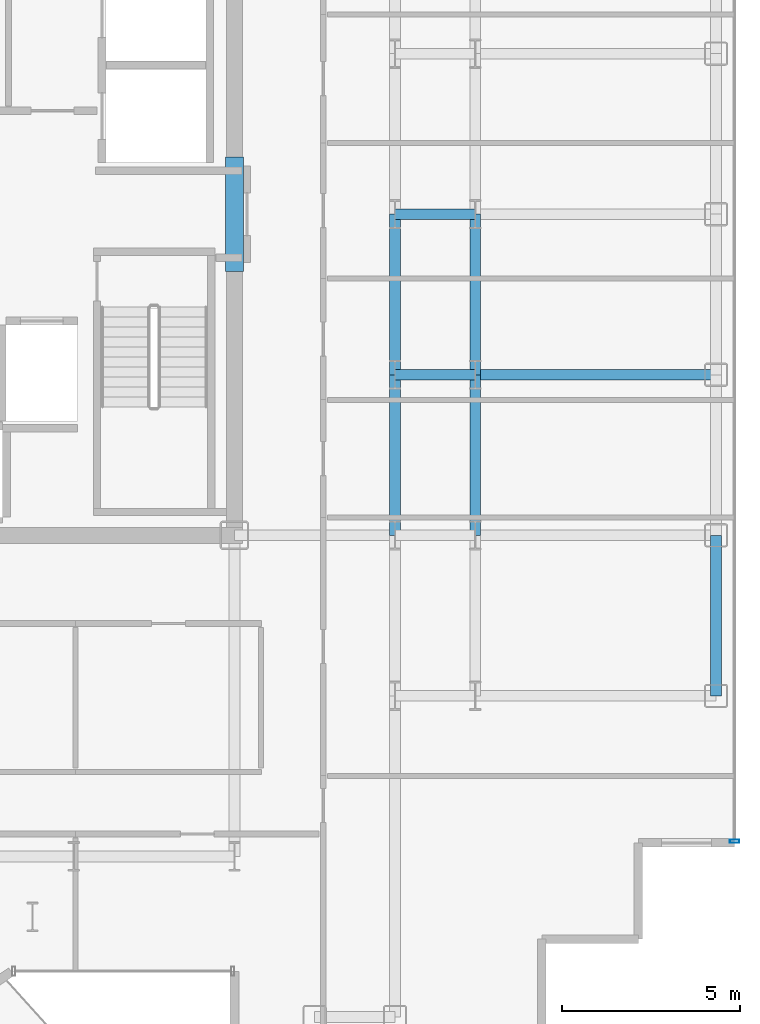
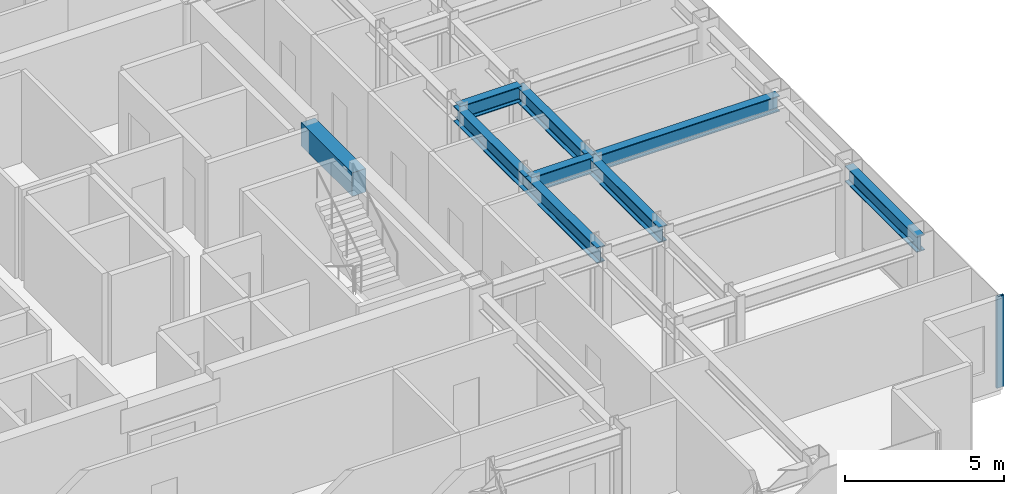
# One storey, part 6 of 21: 9 beams, 1 member, 1 element without a shape of its own.
"""IFC4 building model written with IfcOpenShell, lengths in metres."""

from ifc_helpers import new_model, si_unit, direction, frame, origin, origin_2d, place, context, subcontext, project, spatial, rectangle, hollow_rectangle, i_section, extrude, source, transform, mapped, material, layer, layer_set, material_profile, profile_set, type_object, element, aggregate, save


model = new_model("IFC4")

# Units and contexts
model_context = context("Model", 3, precision=1e-05, world=origin(), true_north=direction((0.0, 1.0)))
body_context = subcontext(model_context, "Body", "Model", "MODEL_VIEW")
ifc_project = project(units=[si_unit("LENGTHUNIT", "METRE"), si_unit("AREAUNIT", "SQUARE_METRE"), si_unit("VOLUMEUNIT", "CUBIC_METRE"), si_unit("PLANEANGLEUNIT", "RADIAN"), si_unit("MASSUNIT", "GRAM", prefix="KILO")], contexts=[model_context])

# Site, building, storey
site_placement = place(None, origin())
site = spatial("IfcSite", under=ifc_project, at=site_placement, CompositionType="ELEMENT")
building_placement = place(site_placement, origin())
building = spatial("IfcBuilding", under=site, at=building_placement, Name="Nefas-Gora Pilgrimage Tower", CompositionType="ELEMENT")
storey_placement = place(building_placement, frame((0.0, 0.0, 256.0)))
storey = spatial("IfcBuildingStorey", under=building, at=storey_placement, Name="L64", CompositionType="ELEMENT", Elevation=256.0)

# Beams
ifc_material_1 = material(Name="Concrete C50/60", Category="concrete")
ifc_material_profile_1 = material_profile(ifc_material_1, rectangle(XDim=0.5, YDim=0.89990234375, at=origin_2d()), Name="RC 500x900")
ifc_profile_set_1 = profile_set([ifc_material_profile_1], Name="Concrete C50/60")
beam_type_1 = type_object("IfcBeamType", Name="BM-LIN-RC900", PredefinedType="LINTEL", material=ifc_profile_set_1)
shared_shape_1 = source(origin(), body_context, "Body", "SweptSolid", [
    extrude(rectangle(XDim=0.5, YDim=0.89990234375, at=origin_2d()), origin(), (0.0, 0.0, 1.0), 3.2001953125),
])
beam_1_placement = place(storey_placement, frame((11.25, -1.60009765625, 3.050048828125), z_axis=(0.0, 1.0, 0.0), x_axis=(-1.0, 0.0, 0.0)))
element("IfcBeam", 1, at=beam_1_placement, inside=storey, type_object=beam_type_1, Name="L64 Core Coupling Lintel Beam E", PredefinedType="LINTEL", context=body_context, shape_type="MappedRepresentation", body=[
    mapped(shared_shape_1, transform((0.0, 0.0, 0.0), x_axis=(1.0, 0.0, 0.0), y_axis=(0.0, 1.0, 0.0), z_axis=(0.0, 0.0, 1.0), scale=1.0)),
])
ifc_material_2 = material(Name="Steel S355", Category="steel")
ifc_material_profile_2 = material_profile(ifc_material_2, i_section(OverallWidth=0.300048828125, OverallDepth=0.60009765625, WebThickness=0.015380859375, FlangeThickness=0.030029296875, FilletRadius=0.027099609375, at=origin_2d()), Name="HEB 600")
ifc_profile_set_2 = profile_set([ifc_material_profile_2], Name="Steel S355")
beam_type_2 = type_object("IfcBeamType", Name="BM-SPN-HEB450", PredefinedType="SPANDREL", material=ifc_profile_set_2)
shared_shape_2 = source(origin(), body_context, "Body", "SweptSolid", [
    extrude(i_section(OverallWidth=0.300048828125, OverallDepth=0.60009765625, WebThickness=0.015380859375, FlangeThickness=0.030029296875, FilletRadius=0.027099609375, at=origin_2d()), origin(), (0.0, 0.0, 1.0), 4.5),
])
beam_2_placement = place(storey_placement, frame((24.75, -13.5, 3.199951171875), z_axis=(0.0, 1.0, 0.0), x_axis=(-1.0, 0.0, 0.0)))
element("IfcBeam", 2, at=beam_2_placement, inside=storey, type_object=beam_type_2, Name="L64 SP-03 beam", PredefinedType="SPANDREL", context=body_context, shape_type="MappedRepresentation", body=[
    mapped(shared_shape_2, transform((0.0, 0.0, 0.0), x_axis=(1.0, 0.0, 0.0), y_axis=(0.0, 1.0, 0.0), z_axis=(0.0, 0.0, 1.0), scale=1.0)),
])
ifc_material_profile_3 = material_profile(ifc_material_2, i_section(OverallWidth=0.300048828125, OverallDepth=0.60009765625, WebThickness=0.015380859375, FlangeThickness=0.030029296875, FilletRadius=0.027099609375, at=origin_2d()), Name="HEB 600")
ifc_profile_set_3 = profile_set([ifc_material_profile_3], Name="Steel S355")
beam_type_3 = type_object("IfcBeamType", Name="BM-GIR-HEB600", PredefinedType="BEAM", material=ifc_profile_set_3)
shared_shape_3 = source(origin(), body_context, "Body", "SweptSolid", [
    extrude(i_section(OverallWidth=0.300048828125, OverallDepth=0.60009765625, WebThickness=0.015380859375, FlangeThickness=0.030029296875, FilletRadius=0.027099609375, at=origin_2d()), origin(), (0.0, 0.0, 1.0), 4.5),
])
for number, where, z_axis, x_axis, name in (
    (3, (15.75, -9.0, 3.199951171875), (0.0, 1.0, 0.0), (-1.0, 0.0, 0.0), "L64 G-04 beam"),
    (4, (15.75, -4.5, 3.199951171875), (0.0, 1.0, 0.0), (-1.0, 0.0, 0.0), "L64 G-04 beam"),
    (5, (18.0, -9.0, 3.199951171875), (0.0, 1.0, 0.0), (-1.0, 0.0, 0.0), "L64 G-04 beam"),
    (6, (18.0, -4.5, 3.199951171875), (0.0, 1.0, 0.0), (-1.0, 0.0, 0.0), "L64 G-04 beam"),
):
    element("IfcBeam", number, at=place(storey_placement, frame(where, z_axis=z_axis, x_axis=x_axis)), inside=storey, type_object=beam_type_3, Name=name, PredefinedType="BEAM", context=body_context, shape_type="MappedRepresentation", body=[
        mapped(shared_shape_3, transform((0.0, 0.0, 0.0), x_axis=(1.0, 0.0, 0.0), y_axis=(0.0, 1.0, 0.0), z_axis=(0.0, 0.0, 1.0), scale=1.0)),
    ])
shared_shape_4 = source(origin(), body_context, "Body", "SweptSolid", [
    extrude(i_section(OverallWidth=0.300048828125, OverallDepth=0.60009765625, WebThickness=0.015380859375, FlangeThickness=0.030029296875, FilletRadius=0.027099609375, at=origin_2d()), origin(), (0.0, 0.0, 1.0), 6.75),
])
beam_3_placement = place(storey_placement, frame((18.0, -4.5, 3.199951171875), z_axis=(1.0, 0.0, 0.0), x_axis=(0.0, 1.0, 0.0)))
element("IfcBeam", 7, at=beam_3_placement, inside=storey, type_object=beam_type_3, Name="L64 G-04 beam", PredefinedType="BEAM", context=body_context, shape_type="MappedRepresentation", body=[
    mapped(shared_shape_4, transform((0.0, 0.0, 0.0), x_axis=(1.0, 0.0, 0.0), y_axis=(0.0, 1.0, 0.0), z_axis=(0.0, 0.0, 1.0), scale=1.0)),
])
shared_shape_5 = source(origin(), body_context, "Body", "SweptSolid", [
    extrude(i_section(OverallWidth=0.300048828125, OverallDepth=0.60009765625, WebThickness=0.015380859375, FlangeThickness=0.030029296875, FilletRadius=0.027099609375, at=origin_2d()), origin(), (0.0, 0.0, 1.0), 2.25),
])
for number, where, z_axis, x_axis, name in (
    (8, (15.75, -4.5, 3.199951171875), (1.0, 0.0, 0.0), (0.0, 1.0, 0.0), "L64 G-04 beam"),
    (9, (15.75, 0.0, 3.199951171875), (1.0, 0.0, 0.0), (0.0, 1.0, 0.0), "L64 G-04 beam"),
):
    element("IfcBeam", number, at=place(storey_placement, frame(where, z_axis=z_axis, x_axis=x_axis)), inside=storey, type_object=beam_type_3, Name=name, PredefinedType="BEAM", context=body_context, shape_type="MappedRepresentation", body=[
        mapped(shared_shape_5, transform((0.0, 0.0, 0.0), x_axis=(1.0, 0.0, 0.0), y_axis=(0.0, 1.0, 0.0), z_axis=(0.0, 0.0, 1.0), scale=1.0)),
    ])

# Curtain wall, member
ifc_material_3 = material(Name="Dark ceramic-fritted solar-control aluminium-glass curtain wall", Category="aluminium")
ifc_layer = layer(ifc_material_3, 0.219970703125)
ifc_layer_set = layer_set([ifc_layer], Name="Dark ceramic-fritted solar-control aluminium-glass curtain wall")
curtain_wall_type = type_object("IfcCurtainWallType", Name="CW-SYS-3", PredefinedType="NOTDEFINED", material=ifc_layer_set)
curtain_wall_placement = place(storey_placement, origin())
curtain_wall = element("IfcCurtainWall", 10, at=curtain_wall_placement, inside=storey, type_object=curtain_wall_type, Name="L64 Unitised Curtain Wall CW3", PredefinedType="NOTDEFINED")
ifc_material_4 = material(Name="Anodised architectural aluminium", Category="aluminium")
ifc_material_profile_4 = material_profile(ifc_material_4, hollow_rectangle(XDim=0.090087890625, YDim=0.260009765625, WallThickness=0.006103515625, InnerFilletRadius=0.006103515625, OuterFilletRadius=0.011962890625, at=origin_2d()), Name="ALU MULLION 90x260")
ifc_profile_set_4 = profile_set([ifc_material_profile_4], Name="Anodised architectural aluminium")
member_type = type_object("IfcMemberType", Name="CWM-MUL-3", PredefinedType="MULLION", material=ifc_profile_set_4)
shared_shape_6 = source(origin(), body_context, "Body", "SweptSolid", [
    extrude(hollow_rectangle(XDim=0.090087890625, YDim=0.260009765625, WallThickness=0.006103515625, InnerFilletRadius=0.006103515625, OuterFilletRadius=0.011962890625, at=origin_2d()), origin(), (0.0, 0.0, 1.0), 3.5),
])
member_placement = place(storey_placement, frame((25.27001953125, -17.574951171875, 0.0), z_axis=(0.0, 0.0, 1.0), x_axis=(0.0, 1.0, 0.0)))
member = element("IfcMember", 11, at=member_placement, type_object=member_type, Name="CW3 Mullion 1", PredefinedType="MULLION", context=body_context, shape_type="MappedRepresentation", body=[
    mapped(shared_shape_6, transform((0.0, 0.0, 0.0), x_axis=(1.0, 0.0, 0.0), y_axis=(0.0, 1.0, 0.0), z_axis=(0.0, 0.0, 1.0), scale=1.0)),
])
aggregate(curtain_wall, [member])

save(model, "model.ifc")
